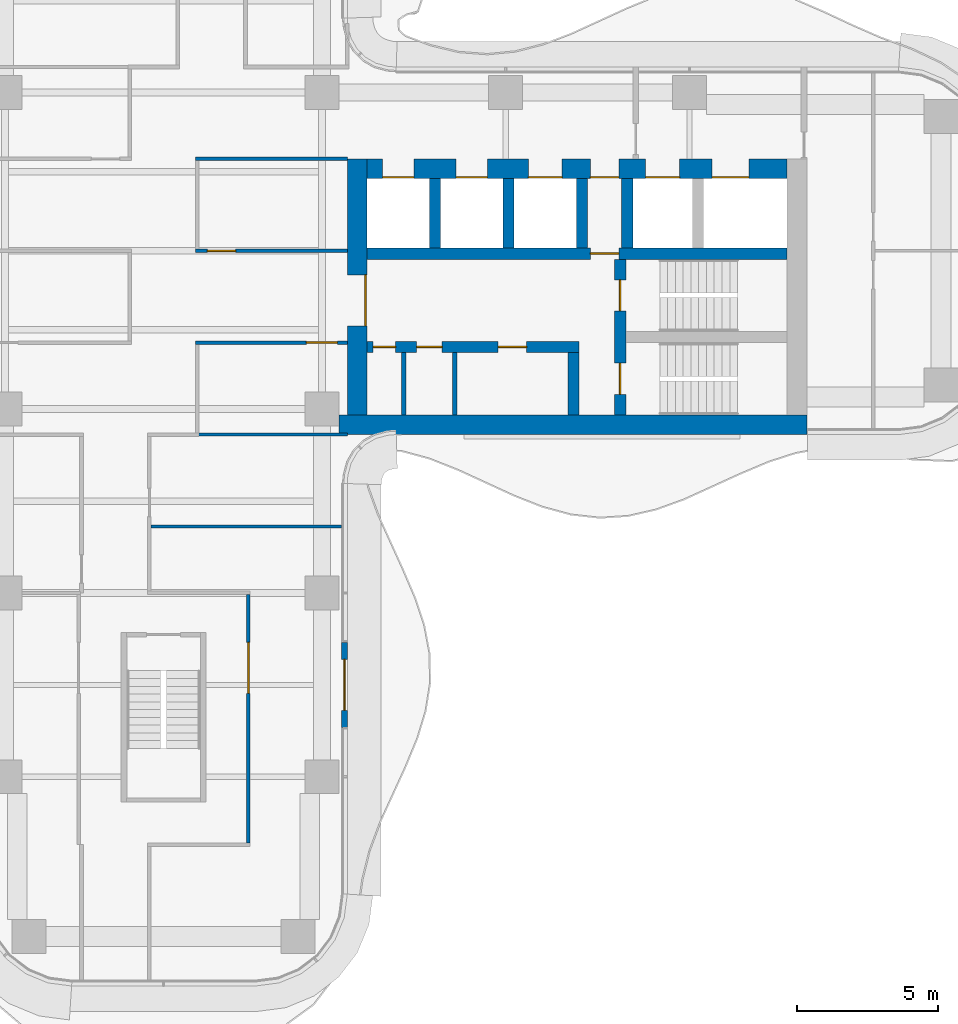
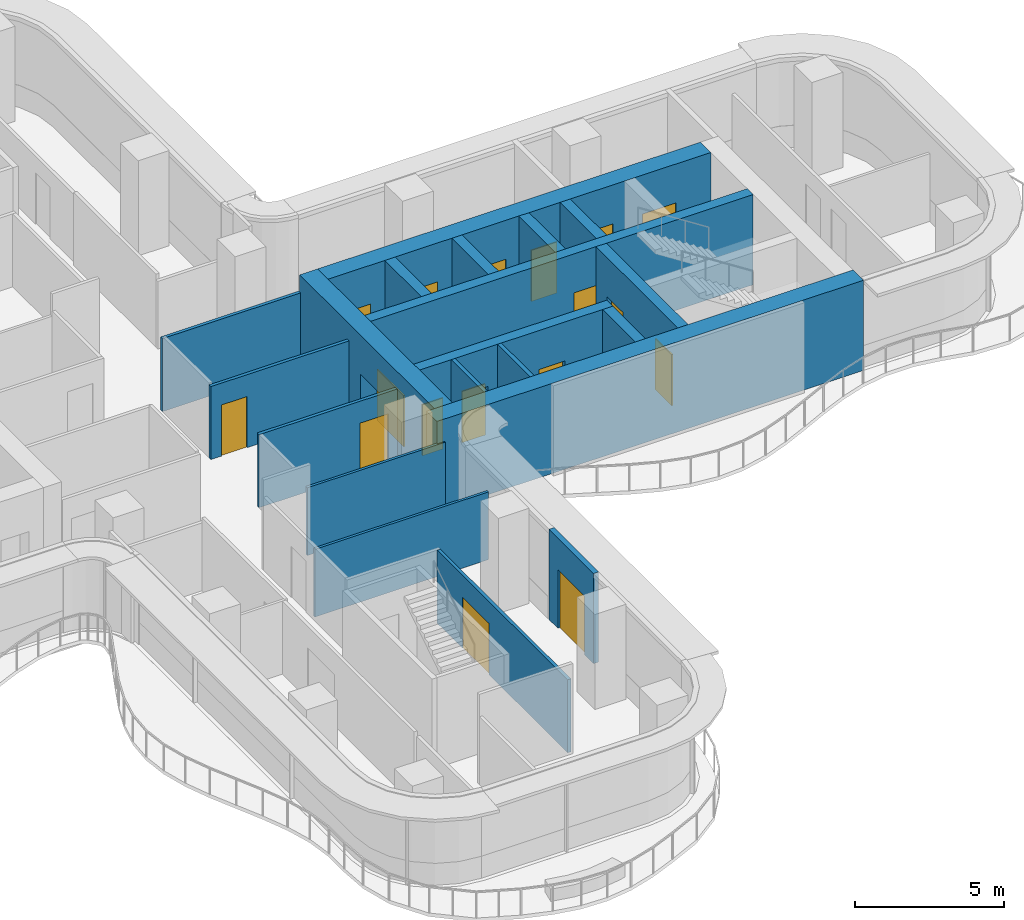
# One storey, part 14 of 18: 20 walls, 17 doors, 17 openings.
"""IFC4 building model written with IfcOpenShell, lengths in metres."""

from ifc_helpers import new_model, si_unit, direction, frame, frame_2d, origin, place, context, subcontext, project, spatial, rectangle, extrude, source, transform, mapped, material, layer, layer_set, type_object, element, fill, save


model = new_model("IFC4")

# Units and contexts
model_context = context("Model", 3, precision=1e-05, world=origin(), true_north=direction((0.0, 1.0)))
body_context = subcontext(model_context, "Body", "Model", "MODEL_VIEW")
ifc_project = project(units=[si_unit("LENGTHUNIT", "METRE"), si_unit("AREAUNIT", "SQUARE_METRE"), si_unit("VOLUMEUNIT", "CUBIC_METRE"), si_unit("PLANEANGLEUNIT", "RADIAN"), si_unit("MASSUNIT", "GRAM", prefix="KILO")], contexts=[model_context])

# Site, building, storey
site_placement = place(None, origin())
site = spatial("IfcSite", under=ifc_project, at=site_placement, CompositionType="ELEMENT")
building_placement = place(site_placement, origin())
building = spatial("IfcBuilding", under=site, at=building_placement, Name="Trellis Farm Tower", CompositionType="ELEMENT")
storey_placement = place(building_placement, frame((0.0, 0.0, 189.300048828125)))
storey = spatial("IfcBuildingStorey", under=building, at=storey_placement, Name="L41", CompositionType="ELEMENT", Elevation=189.300048828125)

# Wall, opening, door
ifc_material_1 = material(Name="Concrete C70/85", Category="concrete")
ifc_layer_1 = layer(ifc_material_1, 0.699951171875)
ifc_layer_set_1 = layer_set([ifc_layer_1], Name="CORE OUTER WALL 700 CONCRETE C70/85")
wall_type_1 = type_object("IfcWallType", Name="CORE OUTER WALL 700 CONCRETE C70/85", PredefinedType="SHEAR", material=ifc_layer_set_1)
shared_shape_1 = source(origin(), body_context, "Body", "SweptSolid", [
    extrude(rectangle(XDim=9.050048828125, YDim=0.699951171875, at=frame_2d((4.52490234375, 0.0))), origin(), (0.0, 0.0, 1.0), 3.699951171875),
])
wall_1_placement = place(storey_placement, frame((6.85009765625, -5.800048828125, 0.0), z_axis=(0.0, 0.0, 1.0), x_axis=(0.0, 1.0, 0.0)))
wall_1 = element("IfcWall", 1, at=wall_1_placement, inside=storey, type_object=wall_type_1, Name="Core wall", PredefinedType="SHEAR", context=body_context, shape_type="MappedRepresentation", body=[
    mapped(shared_shape_1, transform((0.0, 0.0, 0.0))),
])
shared_shape_2 = source(origin(), body_context, "Body", "SweptSolid", [
    extrude(rectangle(XDim=1.800048828125, YDim=2.10009765625, at=frame_2d((0.89990234375, 1.050048828125))), frame((0.0, 0.360107421875, 0.0), z_axis=(0.0, -1.0, 0.0), x_axis=(1.0, 0.0, 0.0)), (0.0, 0.0, 1.0), 0.72021484375),
])
opening_1_placement = place(wall_1_placement, frame((3.14990234375, 0.0, 0.0)))
opening_1 = element("IfcOpeningElement", 2, at=opening_1_placement, cuts=wall_1, Name="Opening DC1", PredefinedType="OPENING", context=body_context, shape_type="MappedRepresentation", body=[
    mapped(shared_shape_2, transform((0.0, 0.0, 0.0))),
])
ifc_material_2 = material(Name="Steel", Category="steel")
door_type_1 = type_object("IfcDoorType", Name="CORE FIRE DOOR DOUBLE 1800 X 2100", OperationType="DOUBLE_DOOR_SINGLE_SWING", PredefinedType="DOOR", material=ifc_material_2)
shared_shape_3 = source(origin(), body_context, "Body", "SweptSolid", [
    extrude(rectangle(XDim=1.800048828125, YDim=2.10009765625, at=frame_2d((0.89990234375, 1.050048828125))), frame((0.0, -0.27490234375, 0.0), z_axis=(0.0, -1.0, 0.0), x_axis=(1.0, 0.0, 0.0)), (0.0, 0.0, 1.0), 0.050048828125),
])
door_1_placement = place(opening_1_placement, origin())
door_1 = element("IfcDoor", 3, at=door_1_placement, inside=storey, type_object=door_type_1, Name="Core door", OperationType="DOUBLE_DOOR_SINGLE_SWING", OverallHeight=2.10009765625, OverallWidth=1.800048828125, PredefinedType="DOOR", context=body_context, shape_type="MappedRepresentation", body=[
    mapped(shared_shape_3, transform((0.0, 0.0, 0.0))),
])
fill(opening_1, door_1)

# Walls
ifc_layer_2 = layer(ifc_material_1, 0.39990234375)
ifc_layer_set_2 = layer_set([ifc_layer_2], Name="CORE INNER WALL 400 CONCRETE C70/85")
wall_type_2 = type_object("IfcWallType", Name="CORE INNER WALL 400 CONCRETE C70/85", PredefinedType="SHEAR", material=ifc_layer_set_2)
shared_shape_4 = source(origin(), body_context, "Body", "SweptSolid", [
    extrude(rectangle(XDim=2.449951171875, YDim=0.39990234375, at=frame_2d((1.22509765625, 0.0))), origin(), (0.0, 0.0, 1.0), 3.699951171875),
])
for number, where, z_axis, x_axis, name in (
    (4, (9.60009765625, 0.10009765625, 0.0), (0.0, 0.0, 1.0), (0.0, 1.0, 0.0), "Core wall"),
    (5, (12.199951171875, 0.10009765625, 0.0), (0.0, 0.0, 1.0), (0.0, 1.0, 0.0), "Core wall"),
    (6, (14.800048828125, 0.10009765625, 0.0), (0.0, 0.0, 1.0), (0.0, 1.0, 0.0), "Core wall"),
    (7, (16.39990234375, 0.10009765625, 0.0), (0.0, 0.0, 1.0), (0.0, 1.0, 0.0), "Core wall"),
):
    element("IfcWall", number, at=place(storey_placement, frame(where, z_axis=z_axis, x_axis=x_axis)), inside=storey, type_object=wall_type_2, Name=name, PredefinedType="SHEAR", context=body_context, shape_type="MappedRepresentation", body=[
        mapped(shared_shape_4, transform((0.0, 0.0, 0.0))),
    ])
shared_shape_5 = source(origin(), body_context, "Body", "SweptSolid", [
    extrude(rectangle(XDim=16.550048828125, YDim=0.699951171875, at=frame_2d((8.27490234375, 0.0))), origin(), (0.0, 0.0, 1.0), 3.699951171875),
])
wall_2_placement = place(storey_placement, frame((6.199951171875, -6.14990234375, 0.0), z_axis=(0.0, 0.0, 1.0), x_axis=(1.0, 0.0, 0.0)))
element("IfcWall", 8, at=wall_2_placement, inside=storey, type_object=wall_type_1, Name="Core wall", PredefinedType="SHEAR", context=body_context, shape_type="MappedRepresentation", body=[
    mapped(shared_shape_5, transform((0.0, 0.0, 0.0))),
])

# Wall, openings, doors
shared_shape_6 = source(origin(), body_context, "Body", "SweptSolid", [
    extrude(rectangle(XDim=14.85009765625, YDim=0.699951171875, at=frame_2d((7.425048828125, 0.0))), origin(), (0.0, 0.0, 1.0), 3.699951171875),
])
wall_3_placement = place(storey_placement, frame((7.199951171875, 2.89990234375, 0.0), z_axis=(0.0, 0.0, 1.0), x_axis=(1.0, 0.0, 0.0)))
wall_3 = element("IfcWall", 9, at=wall_3_placement, inside=storey, type_object=wall_type_1, Name="Core wall", PredefinedType="SHEAR", context=body_context, shape_type="MappedRepresentation", body=[
    mapped(shared_shape_6, transform((0.0, 0.0, 0.0))),
])
shared_shape_7 = source(origin(), body_context, "Body", "SweptSolid", [
    extrude(rectangle(XDim=1.10009765625, YDim=2.10009765625, at=frame_2d((0.550048828125, 1.050048828125))), frame((0.0, 0.360107421875, 0.0), z_axis=(0.0, -1.0, 0.0), x_axis=(1.0, 0.0, 0.0)), (0.0, 0.0, 1.0), 0.72021484375),
])
opening_2_placement = place(wall_3_placement, frame((0.550048828125, 0.0, 0.0)))
opening_2 = element("IfcOpeningElement", 10, at=opening_2_placement, cuts=wall_3, Name="Opening LD4", PredefinedType="OPENING", context=body_context, shape_type="MappedRepresentation", body=[
    mapped(shared_shape_7, transform((0.0, 0.0, 0.0))),
])
opening_3_placement = place(wall_3_placement, frame((3.14990234375, 0.0, 0.0)))
opening_3 = element("IfcOpeningElement", 11, at=opening_3_placement, cuts=wall_3, Name="Opening LD5", PredefinedType="OPENING", context=body_context, shape_type="MappedRepresentation", body=[
    mapped(shared_shape_7, transform((0.0, 0.0, 0.0))),
])
shared_shape_8 = source(origin(), body_context, "Body", "SweptSolid", [
    extrude(rectangle(XDim=1.199951171875, YDim=2.10009765625, at=frame_2d((0.60009765625, 1.050048828125))), frame((0.0, 0.360107421875, 0.0), z_axis=(0.0, -1.0, 0.0), x_axis=(1.0, 0.0, 0.0)), (0.0, 0.0, 1.0), 0.72021484375),
])
opening_4_placement = place(wall_3_placement, frame((5.699951171875, 0.0, 0.0)))
opening_4 = element("IfcOpeningElement", 12, at=opening_4_placement, cuts=wall_3, Name="Opening LD6", PredefinedType="OPENING", context=body_context, shape_type="MappedRepresentation", body=[
    mapped(shared_shape_8, transform((0.0, 0.0, 0.0))),
])
shared_shape_9 = source(origin(), body_context, "Body", "SweptSolid", [
    extrude(rectangle(XDim=1.300048828125, YDim=2.10009765625, at=frame_2d((0.64990234375, 1.050048828125))), frame((0.0, 0.360107421875, 0.0), z_axis=(0.0, -1.0, 0.0), x_axis=(1.0, 0.0, 0.0)), (0.0, 0.0, 1.0), 0.72021484375),
])
opening_5_placement = place(wall_3_placement, frame((12.199951171875, 0.0, 0.0)))
opening_5 = element("IfcOpeningElement", 13, at=opening_5_placement, cuts=wall_3, Name="Opening LD7", PredefinedType="OPENING", context=body_context, shape_type="MappedRepresentation", body=[
    mapped(shared_shape_9, transform((0.0, 0.0, 0.0))),
])
opening_6_placement = place(wall_3_placement, frame((9.85009765625, 0.0, 0.0)))
opening_6 = element("IfcOpeningElement", 14, at=opening_6_placement, cuts=wall_3, Name="Opening LD8", PredefinedType="OPENING", context=body_context, shape_type="MappedRepresentation", body=[
    mapped(shared_shape_8, transform((0.0, 0.0, 0.0))),
])
shared_shape_10 = source(origin(), body_context, "Body", "SweptSolid", [
    extrude(rectangle(XDim=1.0, YDim=2.10009765625, at=frame_2d((0.5, 1.050048828125))), frame((0.0, 0.360107421875, 0.0), z_axis=(0.0, -1.0, 0.0), x_axis=(1.0, 0.0, 0.0)), (0.0, 0.0, 1.0), 0.72021484375),
])
opening_7_placement = place(wall_3_placement, frame((7.89990234375, 0.0, 0.0)))
opening_7 = element("IfcOpeningElement", 15, at=opening_7_placement, cuts=wall_3, Name="Opening DC6", PredefinedType="OPENING", context=body_context, shape_type="MappedRepresentation", body=[
    mapped(shared_shape_10, transform((0.0, 0.0, 0.0))),
])
door_type_2 = type_object("IfcDoorType", Name="CORE FIRE DOOR 1000 X 2100", OperationType="NOTDEFINED", PredefinedType="DOOR", material=ifc_material_2)
shared_shape_11 = source(origin(), body_context, "Body", "SweptSolid", [
    extrude(rectangle(XDim=1.0, YDim=2.10009765625, at=frame_2d((0.5, 1.050048828125))), frame((0.0, -0.27490234375, 0.0), z_axis=(0.0, -1.0, 0.0), x_axis=(1.0, 0.0, 0.0)), (0.0, 0.0, 1.0), 0.050048828125),
])
door_2_placement = place(opening_7_placement, origin())
door_2 = element("IfcDoor", 16, at=door_2_placement, inside=storey, type_object=door_type_2, Name="Core door", OperationType="SINGLE_SWING_LEFT", OverallHeight=2.10009765625, OverallWidth=1.0, PredefinedType="DOOR", context=body_context, shape_type="MappedRepresentation", body=[
    mapped(shared_shape_11, transform((0.0, 0.0, 0.0))),
])
fill(opening_7, door_2)
ifc_material_3 = material(Name="Stainless steel", Category="steel")
door_type_3 = type_object("IfcDoorType", Name="LIFT LANDING DOOR 1300 X 2100", OperationType="DOUBLE_DOOR_SLIDING", PredefinedType="DOOR", material=ifc_material_3)
shared_shape_12 = source(origin(), body_context, "Body", "SweptSolid", [
    extrude(rectangle(XDim=1.300048828125, YDim=2.10009765625, at=frame_2d((0.64990234375, 1.050048828125))), frame((0.0, -0.27490234375, 0.0), z_axis=(0.0, -1.0, 0.0), x_axis=(1.0, 0.0, 0.0)), (0.0, 0.0, 1.0), 0.050048828125),
])
door_3_placement = place(opening_5_placement, origin())
door_3 = element("IfcDoor", 17, at=door_3_placement, inside=storey, type_object=door_type_3, Name="Lift landing door", OperationType="DOUBLE_DOOR_SLIDING", OverallHeight=2.10009765625, OverallWidth=1.300048828125, PredefinedType="DOOR", context=body_context, shape_type="MappedRepresentation", body=[
    mapped(shared_shape_12, transform((0.0, 0.0, 0.0))),
])
fill(opening_5, door_3)
door_type_4 = type_object("IfcDoorType", Name="LIFT LANDING DOOR 1200 X 2100", OperationType="DOUBLE_DOOR_SLIDING", PredefinedType="DOOR", material=ifc_material_3)
shared_shape_13 = source(origin(), body_context, "Body", "SweptSolid", [
    extrude(rectangle(XDim=1.199951171875, YDim=2.10009765625, at=frame_2d((0.60009765625, 1.050048828125))), frame((0.0, -0.27490234375, 0.0), z_axis=(0.0, -1.0, 0.0), x_axis=(1.0, 0.0, 0.0)), (0.0, 0.0, 1.0), 0.050048828125),
])
door_4_placement = place(opening_4_placement, origin())
door_4 = element("IfcDoor", 18, at=door_4_placement, inside=storey, type_object=door_type_4, Name="Lift landing door", OperationType="DOUBLE_DOOR_SLIDING", OverallHeight=2.10009765625, OverallWidth=1.199951171875, PredefinedType="DOOR", context=body_context, shape_type="MappedRepresentation", body=[
    mapped(shared_shape_13, transform((0.0, 0.0, 0.0))),
])
fill(opening_4, door_4)
door_5_placement = place(opening_6_placement, origin())
door_5 = element("IfcDoor", 19, at=door_5_placement, inside=storey, type_object=door_type_4, Name="Lift landing door", OperationType="DOUBLE_DOOR_SLIDING", OverallHeight=2.10009765625, OverallWidth=1.199951171875, PredefinedType="DOOR", context=body_context, shape_type="MappedRepresentation", body=[
    mapped(shared_shape_13, transform((0.0, 0.0, 0.0))),
])
fill(opening_6, door_5)
door_type_5 = type_object("IfcDoorType", Name="LIFT LANDING DOOR 1100 X 2100", OperationType="DOUBLE_DOOR_SLIDING", PredefinedType="DOOR", material=ifc_material_3)
shared_shape_14 = source(origin(), body_context, "Body", "SweptSolid", [
    extrude(rectangle(XDim=1.10009765625, YDim=2.10009765625, at=frame_2d((0.550048828125, 1.050048828125))), frame((0.0, -0.27490234375, 0.0), z_axis=(0.0, -1.0, 0.0), x_axis=(1.0, 0.0, 0.0)), (0.0, 0.0, 1.0), 0.050048828125),
])
door_6_placement = place(opening_2_placement, origin())
door_6 = element("IfcDoor", 20, at=door_6_placement, inside=storey, type_object=door_type_5, Name="Lift landing door", OperationType="DOUBLE_DOOR_SLIDING", OverallHeight=2.10009765625, OverallWidth=1.10009765625, PredefinedType="DOOR", context=body_context, shape_type="MappedRepresentation", body=[
    mapped(shared_shape_14, transform((0.0, 0.0, 0.0))),
])
fill(opening_2, door_6)
door_7_placement = place(opening_3_placement, origin())
door_7 = element("IfcDoor", 21, at=door_7_placement, inside=storey, type_object=door_type_5, Name="Lift landing door", OperationType="DOUBLE_DOOR_SLIDING", OverallHeight=2.10009765625, OverallWidth=1.10009765625, PredefinedType="DOOR", context=body_context, shape_type="MappedRepresentation", body=[
    mapped(shared_shape_14, transform((0.0, 0.0, 0.0))),
])
fill(opening_3, door_7)

shared_shape_15 = source(origin(), body_context, "Body", "SweptSolid", [
    extrude(rectangle(XDim=7.5, YDim=0.39990234375, at=frame_2d((3.75, 0.0))), origin(), (0.0, 0.0, 1.0), 3.699951171875),
])
wall_4_placement = place(storey_placement, frame((7.199951171875, -3.39990234375, 0.0), z_axis=(0.0, 0.0, 1.0), x_axis=(1.0, 0.0, 0.0)))
wall_4 = element("IfcWall", 22, at=wall_4_placement, inside=storey, type_object=wall_type_2, Name="Core wall", PredefinedType="SHEAR", context=body_context, shape_type="MappedRepresentation", body=[
    mapped(shared_shape_15, transform((0.0, 0.0, 0.0))),
])
shared_shape_16 = source(origin(), body_context, "Body", "SweptSolid", [
    extrude(rectangle(XDim=0.800048828125, YDim=2.10009765625, at=frame_2d((0.39990234375, 1.050048828125))), frame((0.0, 0.2099609375, 0.0), z_axis=(0.0, -1.0, 0.0), x_axis=(1.0, 0.0, 0.0)), (0.0, 0.0, 1.0), 0.419921875),
])
opening_8_placement = place(wall_4_placement, frame((0.21240234375, 0.0, 0.0)))
opening_8 = element("IfcOpeningElement", 23, at=opening_8_placement, cuts=wall_4, Name="Opening DC51", PredefinedType="OPENING", context=body_context, shape_type="MappedRepresentation", body=[
    mapped(shared_shape_16, transform((0.0, 0.0, 0.0))),
])
shared_shape_17 = source(origin(), body_context, "Body", "SweptSolid", [
    extrude(rectangle(XDim=0.89990234375, YDim=2.10009765625, at=frame_2d((0.449951171875, 1.050048828125))), frame((0.0, 0.2099609375, 0.0), z_axis=(0.0, -1.0, 0.0), x_axis=(1.0, 0.0, 0.0)), (0.0, 0.0, 1.0), 0.419921875),
])
opening_9_placement = place(wall_4_placement, frame((1.75, 0.0, 0.0)))
opening_9 = element("IfcOpeningElement", 24, at=opening_9_placement, cuts=wall_4, Name="Opening DC60", PredefinedType="OPENING", context=body_context, shape_type="MappedRepresentation", body=[
    mapped(shared_shape_17, transform((0.0, 0.0, 0.0))),
])
shared_shape_18 = source(origin(), body_context, "Body", "SweptSolid", [
    extrude(rectangle(XDim=1.0, YDim=2.10009765625, at=frame_2d((0.5, 1.050048828125))), frame((0.0, 0.2099609375, 0.0), z_axis=(0.0, -1.0, 0.0), x_axis=(1.0, 0.0, 0.0)), (0.0, 0.0, 1.0), 0.419921875),
])
opening_10_placement = place(wall_4_placement, frame((4.637451171875, 0.0, 0.0)))
opening_10 = element("IfcOpeningElement", 25, at=opening_10_placement, cuts=wall_4, Name="Opening DC67", PredefinedType="OPENING", context=body_context, shape_type="MappedRepresentation", body=[
    mapped(shared_shape_18, transform((0.0, 0.0, 0.0))),
])
shared_shape_19 = source(origin(), body_context, "Body", "SweptSolid", [
    extrude(rectangle(XDim=1.0, YDim=2.10009765625, at=frame_2d((0.5, 1.050048828125))), frame((0.0, 0.02490234375, 0.0), z_axis=(0.0, -1.0, 0.0), x_axis=(1.0, 0.0, 0.0)), (0.0, 0.0, 1.0), 0.050048828125),
])
door_8_placement = place(opening_10_placement, origin())
door_8 = element("IfcDoor", 26, at=door_8_placement, inside=storey, type_object=door_type_2, Name="Core door", OperationType="SINGLE_SWING_LEFT", OverallHeight=2.10009765625, OverallWidth=1.0, PredefinedType="DOOR", context=body_context, shape_type="MappedRepresentation", body=[
    mapped(shared_shape_19, transform((0.0, 0.0, 0.0))),
])
fill(opening_10, door_8)
door_type_6 = type_object("IfcDoorType", Name="CORE FIRE DOOR 900 X 2100", OperationType="NOTDEFINED", PredefinedType="DOOR", material=ifc_material_2)
shared_shape_20 = source(origin(), body_context, "Body", "SweptSolid", [
    extrude(rectangle(XDim=0.89990234375, YDim=2.10009765625, at=frame_2d((0.449951171875, 1.050048828125))), frame((0.0, 0.02490234375, 0.0), z_axis=(0.0, -1.0, 0.0), x_axis=(1.0, 0.0, 0.0)), (0.0, 0.0, 1.0), 0.050048828125),
])
door_9_placement = place(opening_9_placement, origin())
door_9 = element("IfcDoor", 27, at=door_9_placement, inside=storey, type_object=door_type_6, Name="Core door", OperationType="SINGLE_SWING_RIGHT", OverallHeight=2.10009765625, OverallWidth=0.89990234375, PredefinedType="DOOR", context=body_context, shape_type="MappedRepresentation", body=[
    mapped(shared_shape_20, transform((0.0, 0.0, 0.0))),
])
fill(opening_9, door_9)
door_type_7 = type_object("IfcDoorType", Name="CORE FIRE DOOR 800 X 2100", OperationType="NOTDEFINED", PredefinedType="DOOR", material=ifc_material_2)
shared_shape_21 = source(origin(), body_context, "Body", "SweptSolid", [
    extrude(rectangle(XDim=0.800048828125, YDim=2.10009765625, at=frame_2d((0.39990234375, 1.050048828125))), frame((0.0, 0.02490234375, 0.0), z_axis=(0.0, -1.0, 0.0), x_axis=(1.0, 0.0, 0.0)), (0.0, 0.0, 1.0), 0.050048828125),
])
door_10_placement = place(opening_8_placement, origin())
door_10 = element("IfcDoor", 28, at=door_10_placement, inside=storey, type_object=door_type_7, Name="Core door", OperationType="SINGLE_SWING_LEFT", OverallHeight=2.10009765625, OverallWidth=0.800048828125, PredefinedType="DOOR", context=body_context, shape_type="MappedRepresentation", body=[
    mapped(shared_shape_21, transform((0.0, 0.0, 0.0))),
])
fill(opening_8, door_10)

# Wall, opening, door
shared_shape_22 = source(origin(), body_context, "Body", "SweptSolid", [
    extrude(rectangle(XDim=14.85009765625, YDim=0.39990234375, at=frame_2d((7.425048828125, 0.0))), origin(), (0.0, 0.0, 1.0), 3.699951171875),
])
wall_5_placement = place(storey_placement, frame((7.199951171875, -0.10009765625, 0.0), z_axis=(0.0, 0.0, 1.0), x_axis=(1.0, 0.0, 0.0)))
wall_5 = element("IfcWall", 29, at=wall_5_placement, inside=storey, type_object=wall_type_2, Name="Core wall", PredefinedType="SHEAR", context=body_context, shape_type="MappedRepresentation", body=[
    mapped(shared_shape_22, transform((0.0, 0.0, 0.0))),
])
opening_11_placement = place(wall_5_placement, frame((7.89990234375, 0.0, 0.0)))
opening_11 = element("IfcOpeningElement", 30, at=opening_11_placement, cuts=wall_5, Name="Opening DC5", PredefinedType="OPENING", context=body_context, shape_type="MappedRepresentation", body=[
    mapped(shared_shape_18, transform((0.0, 0.0, 0.0))),
])
door_11_placement = place(opening_11_placement, origin())
door_11 = element("IfcDoor", 31, at=door_11_placement, inside=storey, type_object=door_type_2, Name="Core door", OperationType="SINGLE_SWING_RIGHT", OverallHeight=2.10009765625, OverallWidth=1.0, PredefinedType="DOOR", context=body_context, shape_type="MappedRepresentation", body=[
    mapped(shared_shape_19, transform((0.0, 0.0, 0.0))),
])
fill(opening_11, door_11)

# Wall, openings, doors
shared_shape_23 = source(origin(), body_context, "Body", "SweptSolid", [
    extrude(rectangle(XDim=5.5, YDim=0.39990234375, at=frame_2d((2.75, 0.0))), origin(), (0.0, 0.0, 1.0), 3.699951171875),
])
wall_6_placement = place(storey_placement, frame((16.14990234375, -5.800048828125, 0.0), z_axis=(0.0, 0.0, 1.0), x_axis=(0.0, 1.0, 0.0)))
wall_6 = element("IfcWall", 32, at=wall_6_placement, inside=storey, type_object=wall_type_2, Name="Core wall", PredefinedType="SHEAR", context=body_context, shape_type="MappedRepresentation", body=[
    mapped(shared_shape_23, transform((0.0, 0.0, 0.0))),
])
shared_shape_24 = source(origin(), body_context, "Body", "SweptSolid", [
    extrude(rectangle(XDim=1.10009765625, YDim=2.10009765625, at=frame_2d((0.550048828125, 1.050048828125))), frame((0.0, 0.2099609375, 0.0), z_axis=(0.0, -1.0, 0.0), x_axis=(1.0, 0.0, 0.0)), (0.0, 0.0, 1.0), 0.419921875),
])
opening_12_placement = place(wall_6_placement, frame((0.72509765625, 0.0, 0.0)))
opening_12 = element("IfcOpeningElement", 33, at=opening_12_placement, cuts=wall_6, Name="Opening DC2", PredefinedType="OPENING", context=body_context, shape_type="MappedRepresentation", body=[
    mapped(shared_shape_24, transform((0.0, 0.0, 0.0))),
])
opening_13_placement = place(wall_6_placement, frame((3.675048828125, 0.0, 0.0)))
opening_13 = element("IfcOpeningElement", 34, at=opening_13_placement, cuts=wall_6, Name="Opening DC3", PredefinedType="OPENING", context=body_context, shape_type="MappedRepresentation", body=[
    mapped(shared_shape_24, transform((0.0, 0.0, 0.0))),
])
door_type_8 = type_object("IfcDoorType", Name="CORE FIRE DOOR 1100 X 2100", OperationType="NOTDEFINED", PredefinedType="DOOR", material=ifc_material_2)
shared_shape_25 = source(origin(), body_context, "Body", "SweptSolid", [
    extrude(rectangle(XDim=1.10009765625, YDim=2.10009765625, at=frame_2d((0.550048828125, 1.050048828125))), frame((0.0, 0.02490234375, 0.0), z_axis=(0.0, -1.0, 0.0), x_axis=(1.0, 0.0, 0.0)), (0.0, 0.0, 1.0), 0.050048828125),
])
door_12_placement = place(opening_12_placement, origin())
door_12 = element("IfcDoor", 35, at=door_12_placement, inside=storey, type_object=door_type_8, Name="Core door", OperationType="SINGLE_SWING_RIGHT", OverallHeight=2.10009765625, OverallWidth=1.10009765625, PredefinedType="DOOR", context=body_context, shape_type="MappedRepresentation", body=[
    mapped(shared_shape_25, transform((0.0, 0.0, 0.0))),
])
fill(opening_12, door_12)
door_13_placement = place(opening_13_placement, origin())
door_13 = element("IfcDoor", 36, at=door_13_placement, inside=storey, type_object=door_type_8, Name="Core door", OperationType="SINGLE_SWING_LEFT", OverallHeight=2.10009765625, OverallWidth=1.10009765625, PredefinedType="DOOR", context=body_context, shape_type="MappedRepresentation", body=[
    mapped(shared_shape_25, transform((0.0, 0.0, 0.0))),
])
fill(opening_13, door_13)

# Walls
shared_shape_26 = source(origin(), body_context, "Body", "SweptSolid", [
    extrude(rectangle(XDim=2.199951171875, YDim=0.39990234375, at=frame_2d((1.10009765625, 0.0))), origin(), (0.0, 0.0, 1.0), 3.699951171875),
])
wall_7_placement = place(storey_placement, frame((14.5, -5.800048828125, 0.0), z_axis=(0.0, 0.0, 1.0), x_axis=(0.0, 1.0, 0.0)))
element("IfcWall", 37, at=wall_7_placement, inside=storey, type_object=wall_type_2, Name="Core wall", PredefinedType="SHEAR", context=body_context, shape_type="MappedRepresentation", body=[
    mapped(shared_shape_26, transform((0.0, 0.0, 0.0))),
])
ifc_material_4 = material(Name="Masonry blockwork", Category="masonry")
ifc_layer_3 = layer(ifc_material_4, 0.14990234375)
ifc_layer_set_3 = layer_set([ifc_layer_3], Name="CORE PARTITION 150 BLOCKWORK")
wall_type_3 = type_object("IfcWallType", Name="CORE PARTITION 150 BLOCKWORK", PredefinedType="PARTITIONING", material=ifc_layer_set_3)
shared_shape_27 = source(origin(), body_context, "Body", "SweptSolid", [
    extrude(rectangle(XDim=2.199951171875, YDim=0.14990234375, at=frame_2d((1.10009765625, 0.0))), origin(), (0.0, 0.0, 1.0), 3.699951171875),
])
for number, where, z_axis, x_axis, name in (
    (38, (8.5, -5.800048828125, 0.0), (0.0, 0.0, 1.0), (0.0, 1.0, 0.0), "Core room partition"),
    (39, (10.300048828125, -5.800048828125, 0.0), (0.0, 0.0, 1.0), (0.0, 1.0, 0.0), "Core room partition"),
):
    element("IfcWall", number, at=place(storey_placement, frame(where, z_axis=z_axis, x_axis=x_axis)), inside=storey, type_object=wall_type_3, Name=name, PredefinedType="PARTITIONING", context=body_context, shape_type="MappedRepresentation", body=[
        mapped(shared_shape_27, transform((0.0, 0.0, 0.0))),
    ])

# Wall, opening, door
ifc_material_5 = material(Name="Sandstone faced insulated wall", Category="masonry")
ifc_layer_4 = layer(ifc_material_5, 0.199951171875)
ifc_layer_set_4 = layer_set([ifc_layer_4], Name="EXTERNAL INFILL WALL 200")
wall_type_4 = type_object("IfcWallType", Name="EXTERNAL INFILL WALL 200", PredefinedType="SOLIDWALL", material=ifc_layer_set_4)
shared_shape_28 = source(origin(), body_context, "Body", "SweptSolid", [
    extrude(rectangle(XDim=3.0, YDim=0.199951171875, at=frame_2d((1.5, 0.0))), origin(), (0.0, 0.0, 1.0), 3.699951171875),
])
wall_8_placement = place(storey_placement, frame((6.39990234375, -16.85009765625, 0.0), z_axis=(0.0, 0.0, 1.0), x_axis=(0.0, 1.0, 0.0)))
wall_8 = element("IfcWall", 40, at=wall_8_placement, inside=storey, type_object=wall_type_4, Name="EW1 01", PredefinedType="SOLIDWALL", context=body_context, shape_type="MappedRepresentation", body=[
    mapped(shared_shape_28, transform((0.0, 0.0, 0.0))),
])
shared_shape_29 = source(origin(), body_context, "Body", "SweptSolid", [
    extrude(rectangle(XDim=1.800048828125, YDim=2.39990234375, at=frame_2d((0.89990234375, 1.199951171875))), frame((0.0, 0.110107421875, 0.0), z_axis=(0.0, -1.0, 0.0), x_axis=(1.0, 0.0, 0.0)), (0.0, 0.0, 1.0), 0.22021484375),
])
opening_14_placement = place(wall_8_placement, frame((0.60009765625, 0.0, 0.0)))
opening_14 = element("IfcOpeningElement", 41, at=opening_14_placement, cuts=wall_8, Name="Opening ED1", PredefinedType="OPENING", context=body_context, shape_type="MappedRepresentation", body=[
    mapped(shared_shape_29, transform((0.0, 0.0, 0.0))),
])
ifc_material_6 = material(Name="Aluminium framed glazed door", Category="aluminium")
door_type_9 = type_object("IfcDoorType", Name="BALCONY DOOR 1800x2400", OperationType="DOUBLE_DOOR_SINGLE_SWING", PredefinedType="DOOR", material=ifc_material_6)
shared_shape_30 = source(origin(), body_context, "Body", "SweptSolid", [
    extrude(rectangle(XDim=1.800048828125, YDim=2.39990234375, at=frame_2d((0.89990234375, 1.199951171875))), frame((0.0, 0.02490234375, 0.0), z_axis=(0.0, -1.0, 0.0), x_axis=(1.0, 0.0, 0.0)), (0.0, 0.0, 1.0), 0.050048828125),
])
door_14_placement = place(opening_14_placement, origin())
door_14 = element("IfcDoor", 42, at=door_14_placement, inside=storey, type_object=door_type_9, Name="Balcony door", OperationType="DOUBLE_DOOR_SINGLE_SWING", OverallHeight=2.39990234375, OverallWidth=1.800048828125, PredefinedType="DOOR", context=body_context, shape_type="MappedRepresentation", body=[
    mapped(shared_shape_30, transform((0.0, 0.0, 0.0))),
])
fill(opening_14, door_14)

# Wall
ifc_material_7 = material(Name="Plasterboard on steel studs", Category="steel")
ifc_layer_5 = layer(ifc_material_7, 0.10009765625)
ifc_layer_set_5 = layer_set([ifc_layer_5], Name="PARTITION 100 STUD EI 30")
wall_type_5 = type_object("IfcWallType", Name="PARTITION 100 STUD EI 30", PredefinedType="PARTITIONING", material=ifc_layer_set_5)
shared_shape_31 = source(origin(), body_context, "Body", "SweptSolid", [
    extrude(rectangle(XDim=5.362548828125, YDim=0.10009765625, at=frame_2d((2.68115234375, 0.0))), origin(), (0.0, 0.0, 1.0), 2.780029296875),
])
wall_9_placement = place(storey_placement, frame((1.137451171875, -6.5, 0.0), z_axis=(0.0, 0.0, 1.0), x_axis=(1.0, 0.0, 0.0)))
element("IfcWall", 43, at=wall_9_placement, inside=storey, type_object=wall_type_5, Name="Partition PW2", PredefinedType="PARTITIONING", context=body_context, shape_type="MappedRepresentation", body=[
    mapped(shared_shape_31, transform((0.0, 0.0, 0.0))),
])

# Wall, opening, door
ifc_material_8 = material(Name="Plasterboard on steel studs, mineral wool", Category="steel")
ifc_layer_6 = layer(ifc_material_8, 0.125)
ifc_layer_set_6 = layer_set([ifc_layer_6], Name="PARTITION 125 STUD EI 60")
wall_type_6 = type_object("IfcWallType", Name="PARTITION 125 STUD EI 60", PredefinedType="PARTITIONING", material=ifc_layer_set_6)
shared_shape_32 = source(origin(), body_context, "Body", "SweptSolid", [
    extrude(rectangle(XDim=5.362548828125, YDim=0.125, at=frame_2d((2.68115234375, 0.0))), origin(), (0.0, 0.0, 1.0), 2.996337890625),
])
wall_10_placement = place(storey_placement, frame((6.5, -3.25, 0.0), z_axis=(0.0, 0.0, 1.0), x_axis=(-1.0, 0.0, 0.0)))
wall_10 = element("IfcWall", 44, at=wall_10_placement, inside=storey, type_object=wall_type_6, Name="Partition PW1", PredefinedType="PARTITIONING", context=body_context, shape_type="MappedRepresentation", body=[
    mapped(shared_shape_32, transform((0.0, 0.0, 0.0))),
])
shared_shape_33 = source(origin(), body_context, "Body", "SweptSolid", [
    extrude(rectangle(XDim=1.10009765625, YDim=2.10009765625, at=frame_2d((0.550048828125, 1.050048828125))), frame((0.0, 0.072509765625, 0.0), z_axis=(0.0, -1.0, 0.0), x_axis=(1.0, 0.0, 0.0)), (0.0, 0.0, 1.0), 0.14501953125),
])
opening_15_placement = place(wall_10_placement, frame((0.35009765625, 0.0, 0.0)))
opening_15 = element("IfcOpeningElement", 45, at=opening_15_placement, cuts=wall_10, Name="Opening D501", PredefinedType="OPENING", context=body_context, shape_type="MappedRepresentation", body=[
    mapped(shared_shape_33, transform((0.0, 0.0, 0.0))),
])
ifc_material_9 = material(Name="Fire-rated timber door leaf in a hollow metal frame", Category="wood")
door_type_10 = type_object("IfcDoorType", Name="DOOR 1100x2100 FD30S", OperationType="NOTDEFINED", PredefinedType="DOOR", material=ifc_material_9)
door_15_placement = place(opening_15_placement, origin())
door_15 = element("IfcDoor", 46, at=door_15_placement, inside=storey, type_object=door_type_10, Name="Door D501", OperationType="SINGLE_SWING_LEFT", OverallHeight=2.10009765625, OverallWidth=1.10009765625, PredefinedType="DOOR", context=body_context, shape_type="MappedRepresentation", body=[
    mapped(shared_shape_25, transform((0.0, 0.0, 0.0))),
])
fill(opening_15, door_15)

wall_11_placement = place(storey_placement, frame((6.5, 0.0, 0.0), z_axis=(0.0, 0.0, 1.0), x_axis=(-1.0, 0.0, 0.0)))
wall_11 = element("IfcWall", 47, at=wall_11_placement, inside=storey, type_object=wall_type_6, Name="Partition PW1", PredefinedType="PARTITIONING", context=body_context, shape_type="MappedRepresentation", body=[
    mapped(shared_shape_32, transform((0.0, 0.0, 0.0))),
])
shared_shape_34 = source(origin(), body_context, "Body", "SweptSolid", [
    extrude(rectangle(XDim=1.0, YDim=2.10009765625, at=frame_2d((0.5, 1.050048828125))), frame((0.0, 0.072509765625, 0.0), z_axis=(0.0, -1.0, 0.0), x_axis=(1.0, 0.0, 0.0)), (0.0, 0.0, 1.0), 0.14501953125),
])
opening_16_placement = place(wall_11_placement, frame((3.949951171875, 0.0, 0.0)))
opening_16 = element("IfcOpeningElement", 48, at=opening_16_placement, cuts=wall_11, Name="Opening D106", PredefinedType="OPENING", context=body_context, shape_type="MappedRepresentation", body=[
    mapped(shared_shape_34, transform((0.0, 0.0, 0.0))),
])
door_type_11 = type_object("IfcDoorType", Name="DOOR 1000x2100 FD30S", OperationType="NOTDEFINED", PredefinedType="DOOR", material=ifc_material_9)
door_16_placement = place(opening_16_placement, origin())
door_16 = element("IfcDoor", 49, at=door_16_placement, inside=storey, type_object=door_type_11, Name="Door D106", OperationType="SINGLE_SWING_RIGHT", OverallHeight=2.10009765625, OverallWidth=1.0, PredefinedType="DOOR", context=body_context, shape_type="MappedRepresentation", body=[
    mapped(shared_shape_19, transform((0.0, 0.0, 0.0))),
])
fill(opening_16, door_16)

# Wall
wall_12_placement = place(storey_placement, frame((1.137451171875, 3.25, 0.0), z_axis=(0.0, 0.0, 1.0), x_axis=(1.0, 0.0, 0.0)))
element("IfcWall", 50, at=wall_12_placement, inside=storey, type_object=wall_type_6, Name="Partition PW1", PredefinedType="PARTITIONING", context=body_context, shape_type="MappedRepresentation", body=[
    mapped(shared_shape_32, transform((0.0, 0.0, 0.0))),
])

# Wall, opening, door
shared_shape_35 = source(origin(), body_context, "Body", "SweptSolid", [
    extrude(rectangle(XDim=8.77490234375, YDim=0.125, at=frame_2d((4.387451171875, 0.0))), origin(), (0.0, 0.0, 1.0), 2.996337890625),
])
wall_13_placement = place(storey_placement, frame((3.0, -12.16259765625, 0.0), z_axis=(0.0, 0.0, 1.0), x_axis=(0.0, -1.0, 0.0)))
wall_13 = element("IfcWall", 51, at=wall_13_placement, inside=storey, type_object=wall_type_6, Name="Partition PW1", PredefinedType="PARTITIONING", context=body_context, shape_type="MappedRepresentation", body=[
    mapped(shared_shape_35, transform((0.0, 0.0, 0.0))),
])
shared_shape_36 = source(origin(), body_context, "Body", "SweptSolid", [
    extrude(rectangle(XDim=1.800048828125, YDim=2.10009765625, at=frame_2d((0.89990234375, 1.050048828125))), frame((0.0, 0.072509765625, 0.0), z_axis=(0.0, -1.0, 0.0), x_axis=(1.0, 0.0, 0.0)), (0.0, 0.0, 1.0), 0.14501953125),
])
opening_17_placement = place(wall_13_placement, frame((1.6875, 0.0, 0.0)))
opening_17 = element("IfcOpeningElement", 52, at=opening_17_placement, cuts=wall_13, Name="Opening D202", PredefinedType="OPENING", context=body_context, shape_type="MappedRepresentation", body=[
    mapped(shared_shape_36, transform((0.0, 0.0, 0.0))),
])
door_type_12 = type_object("IfcDoorType", Name="DOOR PAIR 1800x2100 FD30S", OperationType="NOTDEFINED", PredefinedType="DOOR", material=ifc_material_9)
shared_shape_37 = source(origin(), body_context, "Body", "SweptSolid", [
    extrude(rectangle(XDim=1.800048828125, YDim=2.10009765625, at=frame_2d((0.89990234375, 1.050048828125))), frame((0.0, 0.02490234375, 0.0), z_axis=(0.0, -1.0, 0.0), x_axis=(1.0, 0.0, 0.0)), (0.0, 0.0, 1.0), 0.050048828125),
])
door_17_placement = place(opening_17_placement, origin())
door_17 = element("IfcDoor", 53, at=door_17_placement, inside=storey, type_object=door_type_12, Name="Door D202", OperationType="DOUBLE_DOOR_SINGLE_SWING", OverallHeight=2.10009765625, OverallWidth=1.800048828125, PredefinedType="DOOR", context=body_context, shape_type="MappedRepresentation", body=[
    mapped(shared_shape_37, transform((0.0, 0.0, 0.0))),
])
fill(opening_17, door_17)

# Wall
shared_shape_38 = source(origin(), body_context, "Body", "SweptSolid", [
    extrude(rectangle(XDim=6.737548828125, YDim=0.10009765625, at=frame_2d((3.36865234375, 0.0))), origin(), (0.0, 0.0, 1.0), 2.780029296875),
])
wall_14_placement = place(storey_placement, frame((-0.4375, -9.75, 0.0), z_axis=(0.0, 0.0, 1.0), x_axis=(1.0, 0.0, 0.0)))
element("IfcWall", 54, at=wall_14_placement, inside=storey, type_object=wall_type_5, Name="Partition PW2", PredefinedType="PARTITIONING", context=body_context, shape_type="MappedRepresentation", body=[
    mapped(shared_shape_38, transform((0.0, 0.0, 0.0))),
])

save(model, "model.ifc")
